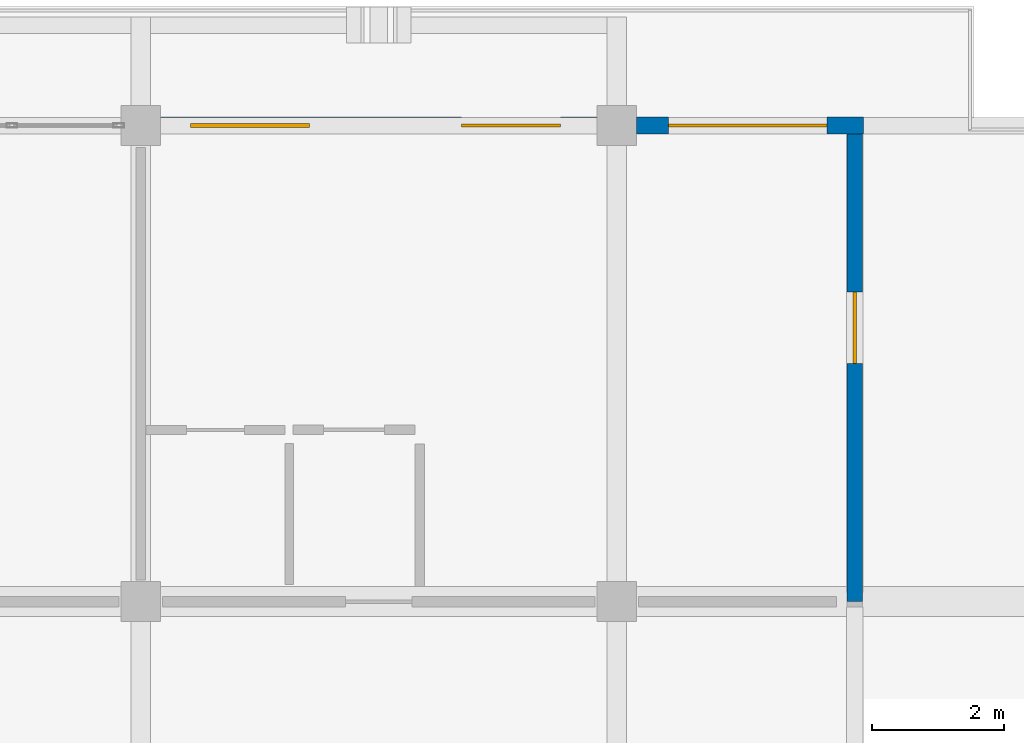
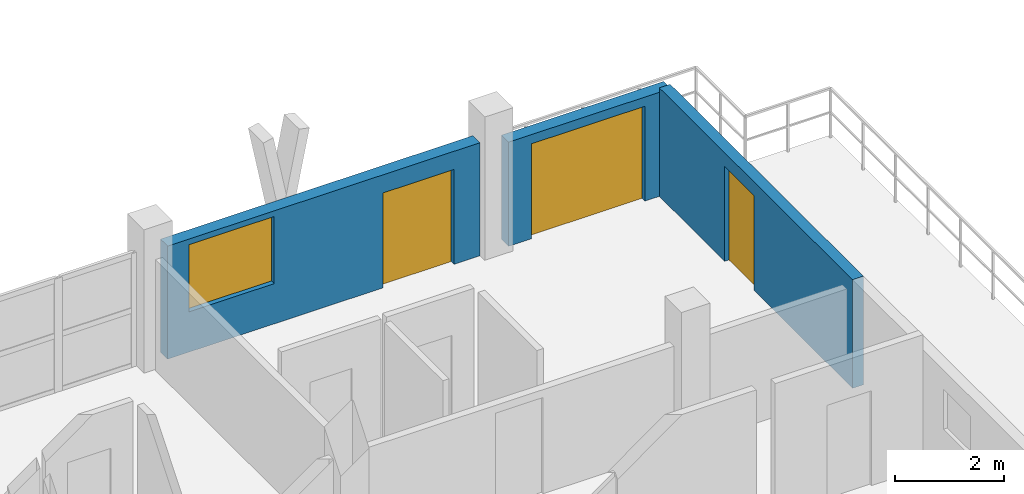
# One storey, part 43 of 67: 3 doors, 3 walls, 1 window, 4 openings.
"""IFC4 building model written with IfcOpenShell, lengths in metres."""

from ifc_helpers import new_model, si_unit, direction, frame, frame_2d, origin, place, context, subcontext, project, spatial, rectangle, extrude, material, layer, layer_set, type_object, element, fill, save


model = new_model("IFC4")

# Units and contexts
model_context = context("Model", 3, precision=1e-05, world=origin(), true_north=direction((0.0, 1.0)))
body_context = subcontext(model_context, "Body", "Model", "MODEL_VIEW")
ifc_project = project(units=[si_unit("LENGTHUNIT", "METRE"), si_unit("AREAUNIT", "SQUARE_METRE"), si_unit("VOLUMEUNIT", "CUBIC_METRE"), si_unit("PLANEANGLEUNIT", "RADIAN"), si_unit("MASSUNIT", "GRAM", prefix="KILO")], contexts=[model_context])

# Site, building, storey
site_placement = place(None, origin())
site = spatial("IfcSite", under=ifc_project, at=site_placement, CompositionType="ELEMENT")
building_placement = place(site_placement, origin())
building = spatial("IfcBuilding", under=site, at=building_placement, Name="Suanplinth Sawtooth Commons", CompositionType="ELEMENT")
storey_placement = place(building_placement, frame((0.0, 0.0, 25.10009765625)))
storey = spatial("IfcBuildingStorey", under=building, at=storey_placement, Name="L07", CompositionType="ELEMENT", Elevation=25.10009765625)

# Wall, openings, door, window
ifc_material_1 = material(Name="Precast concrete C40/50", Category="concrete")
ifc_layer_1 = layer(ifc_material_1, 0.260009765625, Name="Insulated precast courtyard facade wall 260mm")
ifc_layer_set_1 = layer_set([ifc_layer_1], Name="Precast concrete C40/50")
wall_type_1 = type_object("IfcWallType", Name="W-EX02", PredefinedType="ELEMENTEDWALL", material=ifc_layer_set_1)
wall_1_placement = place(storey_placement, frame((93.89990234375, 122.39990234375, 0.0), z_axis=(0.0, 0.0, 1.0), x_axis=(1.0, 0.0, 0.0)))
wall_1 = element("IfcWall", 1, at=wall_1_placement, inside=storey, type_object=wall_type_1, Name="Facade Wall W-L07-A-N-12", PredefinedType="ELEMENTEDWALL", context=body_context, shape_type="SweptSolid", body=[
    extrude(rectangle(XDim=6.60009765625, YDim=0.260009765625, at=frame_2d((3.300048828125, 0.0))), origin(), (0.0, 0.0, 1.0), 2.52490234375),
])
opening_1_placement = place(wall_1_placement, frame((4.550048828125, 0.0, 0.0)))
opening_1 = element("IfcOpeningElement", 2, at=opening_1_placement, cuts=wall_1, Name="Opening ED0567", PredefinedType="OPENING", context=body_context, shape_type="SweptSolid", body=[
    extrude(rectangle(XDim=1.5, YDim=2.1201171875, at=frame_2d((0.75, 1.06005859375))), frame((0.0, 0.14501953125, 0.0), z_axis=(0.0, -1.0, 0.0), x_axis=(1.0, 0.0, 0.0)), (0.0, 0.0, 1.0), 0.289794921875),
])
opening_2_placement = place(wall_1_placement, frame((0.449951171875, 0.0, 0.89990234375)))
opening_2 = element("IfcOpeningElement", 3, at=opening_2_placement, cuts=wall_1, Name="Opening W0649", PredefinedType="OPENING", context=body_context, shape_type="SweptSolid", body=[
    extrude(rectangle(XDim=1.800048828125, YDim=1.5, at=frame_2d((0.89990234375, 0.75))), frame((0.0, 0.14501953125, 0.0), z_axis=(0.0, -1.0, 0.0), x_axis=(1.0, 0.0, 0.0)), (0.0, 0.0, 1.0), 0.289794921875),
])
ifc_material_2 = material(Name="Anodized aluminium and low-E glass", Category="aluminium")
door_type_1 = type_object("IfcDoorType", Name="SD-03", OperationType="SLIDING_TO_LEFT", PredefinedType="DOOR", material=ifc_material_2)
door_1_placement = place(opening_1_placement, frame((1.5, 0.0, 0.0), z_axis=(0.0, 0.0, 1.0), x_axis=(-1.0, 0.0, 0.0)))
door_1 = element("IfcDoor", 4, at=door_1_placement, inside=storey, type_object=door_type_1, Name="Balcony Sliding Door L07-A-N-12", OperationType="SLIDING_TO_LEFT", OverallHeight=2.1201171875, OverallWidth=1.5, PredefinedType="DOOR", context=body_context, shape_type="SweptSolid", body=[
    extrude(rectangle(XDim=1.5, YDim=2.1201171875, at=frame_2d((0.75, 1.06005859375))), frame((0.0, 0.02490234375, 0.0), z_axis=(0.0, -1.0, 0.0), x_axis=(1.0, 0.0, 0.0)), (0.0, 0.0, 1.0), 0.050048828125),
])
fill(opening_1, door_1)
ifc_material_3 = material(Name="Thermally broken aluminium and low-E double glazing", Category="aluminium")
window_type = type_object("IfcWindowType", Name="WN-01", PartitioningType="DOUBLE_PANEL_VERTICAL", PredefinedType="WINDOW", material=ifc_material_3)
window_placement = place(opening_2_placement, origin())
window = element("IfcWindow", 5, at=window_placement, inside=storey, type_object=window_type, Name="Window L07-A-N-12", OverallHeight=1.5, OverallWidth=1.800048828125, PartitioningType="DOUBLE_PANEL_VERTICAL", PredefinedType="WINDOW", context=body_context, shape_type="SweptSolid", body=[
    extrude(rectangle(XDim=1.800048828125, YDim=1.5, at=frame_2d((0.89990234375, 0.75))), frame((0.0, 0.030029296875, 0.0), z_axis=(0.0, -1.0, 0.0), x_axis=(1.0, 0.0, 0.0)), (0.0, 0.0, 1.0), 0.06005859375),
])
fill(opening_2, window)

# Wall, opening, door
wall_2_placement = place(storey_placement, frame((101.10009765625, 122.39990234375, 0.0), z_axis=(0.0, 0.0, 1.0), x_axis=(1.0, 0.0, 0.0)))
wall_2 = element("IfcWall", 6, at=wall_2_placement, inside=storey, type_object=wall_type_1, Name="Facade Wall W-L07-A-N-13", PredefinedType="ELEMENTEDWALL", context=body_context, shape_type="SweptSolid", body=[
    extrude(rectangle(XDim=3.429931640625, YDim=0.260009765625, at=frame_2d((1.71484375, 0.0))), origin(), (0.0, 0.0, 1.0), 2.324951171875),
])
opening_3_placement = place(wall_2_placement, frame((0.47998046875, 0.0, 0.0)))
opening_3 = element("IfcOpeningElement", 7, at=opening_3_placement, cuts=wall_2, Name="Opening ED0569", PredefinedType="OPENING", context=body_context, shape_type="SweptSolid", body=[
    extrude(rectangle(XDim=2.39990234375, YDim=2.1201171875, at=frame_2d((1.199951171875, 1.06005859375))), frame((0.0, 0.14501953125, 0.0), z_axis=(0.0, -1.0, 0.0), x_axis=(1.0, 0.0, 0.0)), (0.0, 0.0, 1.0), 0.289794921875),
])
door_type_2 = type_object("IfcDoorType", Name="SD-04", OperationType="DOUBLE_DOOR_SLIDING", PredefinedType="DOOR", material=ifc_material_2)
door_2_placement = place(opening_3_placement, frame((2.39990234375, 0.0, 0.0), z_axis=(0.0, 0.0, 1.0), x_axis=(-1.0, 0.0, 0.0)))
door_2 = element("IfcDoor", 8, at=door_2_placement, inside=storey, type_object=door_type_2, Name="Balcony Sliding Door L07-A-N-13", OperationType="DOUBLE_DOOR_SLIDING", OverallHeight=2.1201171875, OverallWidth=2.39990234375, PredefinedType="DOOR", context=body_context, shape_type="SweptSolid", body=[
    extrude(rectangle(XDim=2.39990234375, YDim=2.1201171875, at=frame_2d((1.199951171875, 1.06005859375))), frame((0.0, 0.02490234375, 0.0), z_axis=(0.0, -1.0, 0.0), x_axis=(1.0, 0.0, 0.0)), (0.0, 0.0, 1.0), 0.050048828125),
])
fill(opening_3, door_2)

ifc_layer_2 = layer(ifc_material_1, 0.22998046875, Name="Stepped terrace insulated precast wall 230mm")
ifc_layer_set_2 = layer_set([ifc_layer_2], Name="Precast concrete C40/50")
wall_type_2 = type_object("IfcWallType", Name="W-EX06", PredefinedType="ELEMENTEDWALL", material=ifc_layer_set_2)
wall_3_placement = place(storey_placement, frame((104.39990234375, 115.199951171875, 0.0), z_axis=(0.0, 0.0, 1.0), x_axis=(0.0, 1.0, 0.0)))
wall_3 = element("IfcWall", 9, at=wall_3_placement, inside=storey, type_object=wall_type_2, Name="End Wall W-L07-A-E-16", PredefinedType="ELEMENTEDWALL", context=body_context, shape_type="SweptSolid", body=[
    extrude(rectangle(XDim=7.070068359375, YDim=0.22998046875, at=frame_2d((3.53515625, 0.0))), origin(), (0.0, 0.0, 1.0), 2.4248046875),
])
opening_4_placement = place(wall_3_placement, frame((3.60009765625, 0.0, 0.0)))
opening_4 = element("IfcOpeningElement", 10, at=opening_4_placement, cuts=wall_3, Name="Opening ED0572", PredefinedType="OPENING", context=body_context, shape_type="SweptSolid", body=[
    extrude(rectangle(XDim=1.080078125, YDim=2.1201171875, at=frame_2d((0.5400390625, 1.06005859375))), frame((0.0, 0.1298828125, 0.0), z_axis=(0.0, -1.0, 0.0), x_axis=(1.0, 0.0, 0.0)), (0.0, 0.0, 1.0), 0.259765625),
])
door_type_3 = type_object("IfcDoorType", Name="ED-10", OperationType="NOTDEFINED", PredefinedType="DOOR", material=ifc_material_2)
door_3_placement = place(opening_4_placement, frame((1.080078125, 0.0, 0.0), z_axis=(0.0, 0.0, 1.0), x_axis=(-1.0, 0.0, 0.0)))
door_3 = element("IfcDoor", 11, at=door_3_placement, inside=storey, type_object=door_type_3, Name="L07 Block A E Stepped Terrace Door", OperationType="SINGLE_SWING_LEFT", OverallHeight=2.1201171875, OverallWidth=1.080078125, PredefinedType="DOOR", context=body_context, shape_type="SweptSolid", body=[
    extrude(rectangle(XDim=1.080078125, YDim=2.1201171875, at=frame_2d((0.5400390625, 1.06005859375))), frame((0.0, 0.02490234375, 0.0), z_axis=(0.0, -1.0, 0.0), x_axis=(1.0, 0.0, 0.0)), (0.0, 0.0, 1.0), 0.050048828125),
])
fill(opening_4, door_3)

save(model, "model.ifc")
